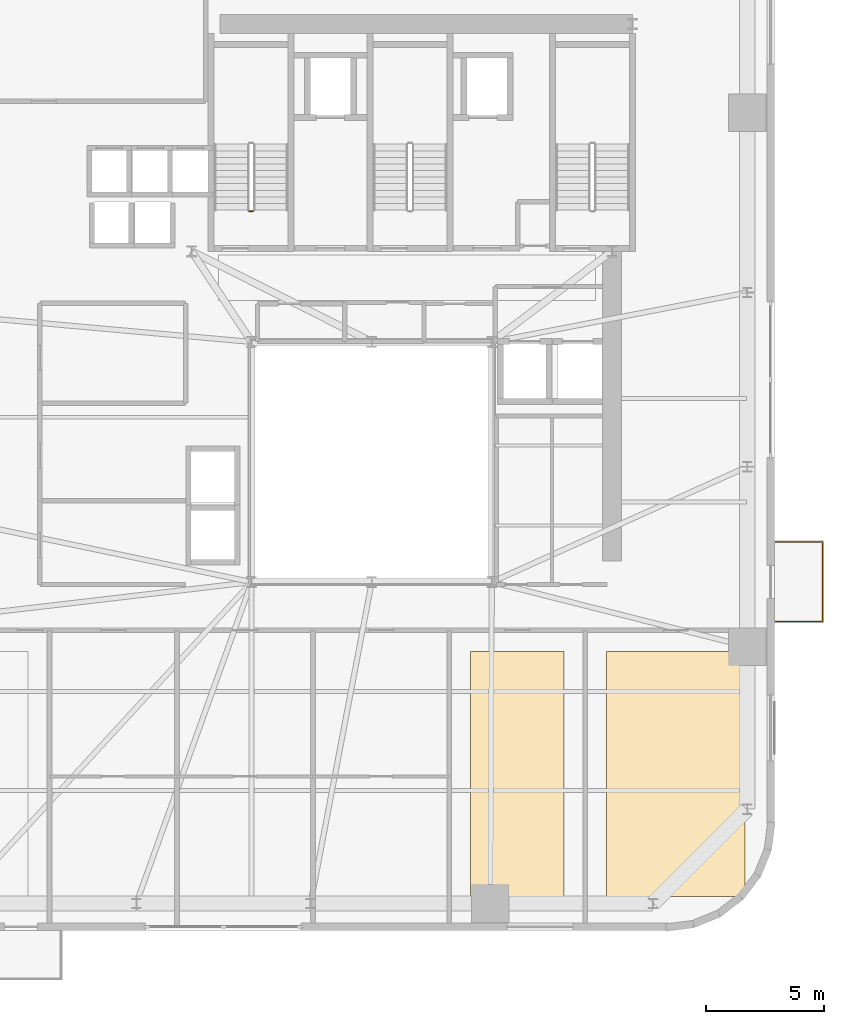
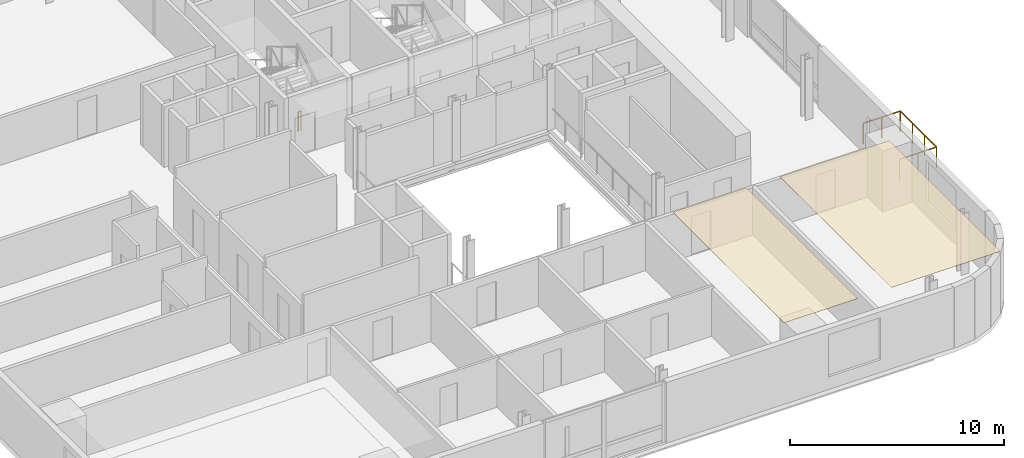
# One storey, part 11 of 14: 2 coverings, 2 railings.
"""IFC4 building model written with IfcOpenShell, lengths in metres."""

from ifc_helpers import new_model, si_unit, direction, frame, origin, origin_2d, place, context, subcontext, project, spatial, polyline, rectangle, outline, extrude, source, transform, mapped, material, layer, layer_set, type_object, element, save


model = new_model("IFC4")

# Units and contexts
model_context = context("Model", 3, precision=1e-05, world=origin(), true_north=direction((0.0, 1.0)))
body_context = subcontext(model_context, "Body", "Model", "MODEL_VIEW")
ifc_project = project(units=[si_unit("LENGTHUNIT", "METRE"), si_unit("AREAUNIT", "SQUARE_METRE"), si_unit("VOLUMEUNIT", "CUBIC_METRE"), si_unit("PLANEANGLEUNIT", "RADIAN"), si_unit("MASSUNIT", "GRAM", prefix="KILO")], contexts=[model_context])

# Site, building, storey
site_placement = place(None, origin())
site = spatial("IfcSite", under=ifc_project, at=site_placement, CompositionType="ELEMENT")
building_placement = place(site_placement, origin())
building = spatial("IfcBuilding", under=site, at=building_placement, Name="Vardaveli Station Tower", CompositionType="ELEMENT")
storey_placement = place(building_placement, frame((0.0, 0.0, 148.300048828125)))
storey = spatial("IfcBuildingStorey", under=building, at=storey_placement, Name="L38", CompositionType="ELEMENT", Elevation=148.300048828125)

# Coverings
ifc_material_1 = material(Name="Perforated acoustic mineral ceiling")
ifc_layer = layer(ifc_material_1, 0.02001953125, Name="Perforated acoustic mineral ceiling")
ifc_layer_set = layer_set([ifc_layer], Name="Perforated acoustic mineral ceiling")
covering_type = type_object("IfcCoveringType", Name="COV-CEIL-AC20", PredefinedType="CEILING", material=ifc_layer_set)
covering_1_placement = place(storey_placement, frame((0.0, 0.0, 3.445068359375)))
element("IfcCovering", 1, at=covering_1_placement, inside=storey, type_object=covering_type, Name="CEIL-L38-2", PredefinedType="CEILING", context=body_context, shape_type="SweptSolid", body=[
    extrude(outline(polyline([(40.487548828125, 3.25), (44.466796875, 3.25), (44.466796875, 13.64990234375), (40.487548828125, 13.64990234375), (40.487548828125, 3.25)])), origin(), (0.0, 0.0, 1.0), 0.019775390625),
])
covering_2_placement = place(storey_placement, frame((0.0, 0.0, 3.445068359375)))
element("IfcCovering", 2, at=covering_2_placement, inside=storey, type_object=covering_type, Name="CEIL-L38-3", PredefinedType="CEILING", context=body_context, shape_type="SweptSolid", body=[
    extrude(outline(polyline([(46.2666015625, 3.25), (52.14990234375, 3.25), (52.14990234375, 13.64990234375), (46.2666015625, 13.64990234375), (46.2666015625, 3.25)])), origin(), (0.0, 0.0, 1.0), 0.019775390625),
])

# Railings
ifc_material_2 = material(Name="Laminated glass and stainless steel balustrade", Category="steel")
railing_type_1 = type_object("IfcRailingType", Name="RL-BAL-1200", PredefinedType="BALUSTRADE", material=ifc_material_2)
shared_shape_1 = source(origin(), body_context, "Body", "SweptSolid", [
    extrude(rectangle(XDim=0.048095703125, YDim=0.048095703125, at=origin_2d()), frame((0.0, 0.0, 1.17578125), z_axis=(1.0, 0.0, 0.0), x_axis=(0.0, 1.0, 0.0)), (0.0, 0.0, 1.0), 2.0),
    extrude(rectangle(XDim=0.048095703125, YDim=0.048095703125, at=origin_2d()), frame((2.0, 0.0, 1.17578125), z_axis=(0.0, 1.0, 0.0), x_axis=(-1.0, 0.0, 0.0)), (0.0, 0.0, 1.0), 3.3798828125),
    extrude(rectangle(XDim=0.048095703125, YDim=0.048095703125, at=origin_2d()), frame((2.0, 3.3798828125, 1.17578125), z_axis=(-1.0, 0.0, 0.0), x_axis=(0.0, -1.0, 0.0)), (0.0, 0.0, 1.0), 2.0),
    extrude(rectangle(XDim=0.0419921875, YDim=0.0419921875, at=origin_2d()), origin(), (0.0, 0.0, 1.0), 1.15185546875),
    extrude(rectangle(XDim=0.0419921875, YDim=0.0419921875, at=origin_2d()), frame((1.0, 0.0, 0.0)), (0.0, 0.0, 1.0), 1.15185546875),
    extrude(rectangle(XDim=0.0419921875, YDim=0.0419921875, at=origin_2d()), frame((2.0, 0.0, 0.0)), (0.0, 0.0, 1.0), 1.15185546875),
    extrude(rectangle(XDim=0.0419921875, YDim=0.0419921875, at=origin_2d()), frame((2.0, 1.126708984375, 0.0)), (0.0, 0.0, 1.0), 1.15185546875),
    extrude(rectangle(XDim=0.0419921875, YDim=0.0419921875, at=origin_2d()), frame((2.0, 2.253173828125, 0.0)), (0.0, 0.0, 1.0), 1.15185546875),
    extrude(rectangle(XDim=0.0419921875, YDim=0.0419921875, at=origin_2d()), frame((2.0, 3.3798828125, 0.0)), (0.0, 0.0, 1.0), 1.15185546875),
    extrude(rectangle(XDim=0.0419921875, YDim=0.0419921875, at=origin_2d()), frame((1.0, 3.3798828125, 0.0)), (0.0, 0.0, 1.0), 1.15185546875),
    extrude(rectangle(XDim=0.0419921875, YDim=0.0419921875, at=origin_2d()), frame((0.0, 3.3798828125, 0.0)), (0.0, 0.0, 1.0), 1.15185546875),
])
railing_1_placement = place(storey_placement, frame((53.43994140625, 14.92041015625, 0.0)))
element("IfcRailing", 3, at=railing_1_placement, inside=storey, type_object=railing_type_1, Name="RL-LOG-L38-04", PredefinedType="BALUSTRADE", context=body_context, shape_type="MappedRepresentation", body=[
    mapped(shared_shape_1, transform((0.0, 0.0, 0.0), scale=1.0)),
])
ifc_material_3 = material(Name="Brushed AISI 316 stainless steel", Category="steel")
railing_type_2 = type_object("IfcRailingType", Name="RL-GUARD-1150", PredefinedType="GUARDRAIL", material=ifc_material_3)
shared_shape_2 = source(origin(), body_context, "Body", "SweptSolid", [
    extrude(rectangle(XDim=0.048095703125, YDim=0.048095703125, at=origin_2d()), frame((0.0, 0.0, 1.1259765625), z_axis=(-1.0, 0.0, 0.0), x_axis=(0.0, -1.0, 0.0)), (0.0, 0.0, 1.0), 0.14990234375),
    extrude(rectangle(XDim=0.0419921875, YDim=0.0419921875, at=origin_2d()), origin(), (0.0, 0.0, 1.0), 1.101806640625),
    extrude(rectangle(XDim=0.0419921875, YDim=0.0419921875, at=origin_2d()), frame((-0.14990234375, 0.0, 0.0)), (0.0, 0.0, 1.0), 1.101806640625),
])
railing_2_placement = place(storey_placement, frame((31.25, 32.35009765625, 0.0)))
element("IfcRailing", 4, at=railing_2_placement, inside=storey, type_object=railing_type_2, Name="L38 ST-1 stair guard 4", PredefinedType="GUARDRAIL", context=body_context, shape_type="MappedRepresentation", body=[
    mapped(shared_shape_2, transform((0.0, 0.0, 0.0), scale=1.0)),
])

save(model, "model.ifc")
